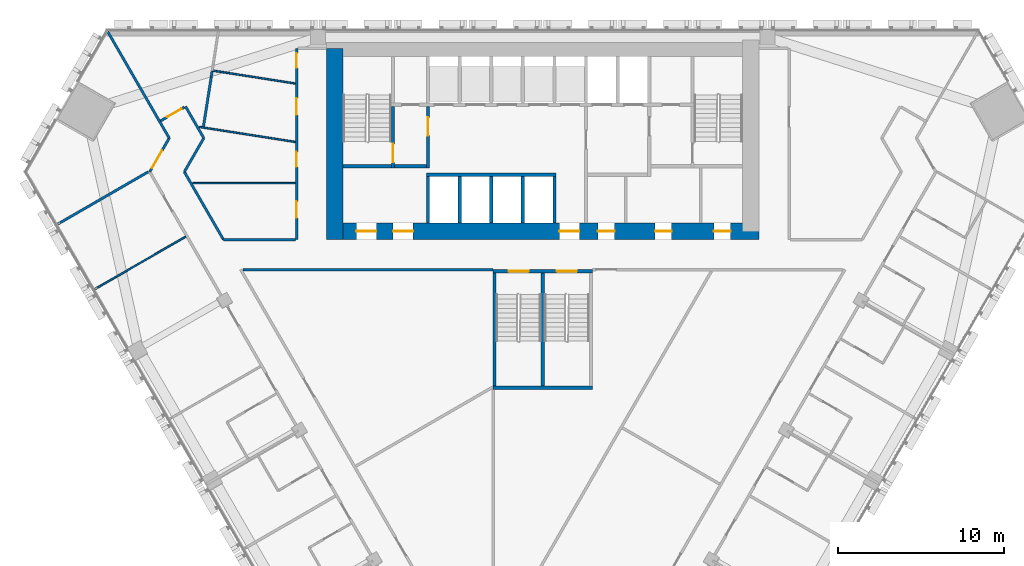
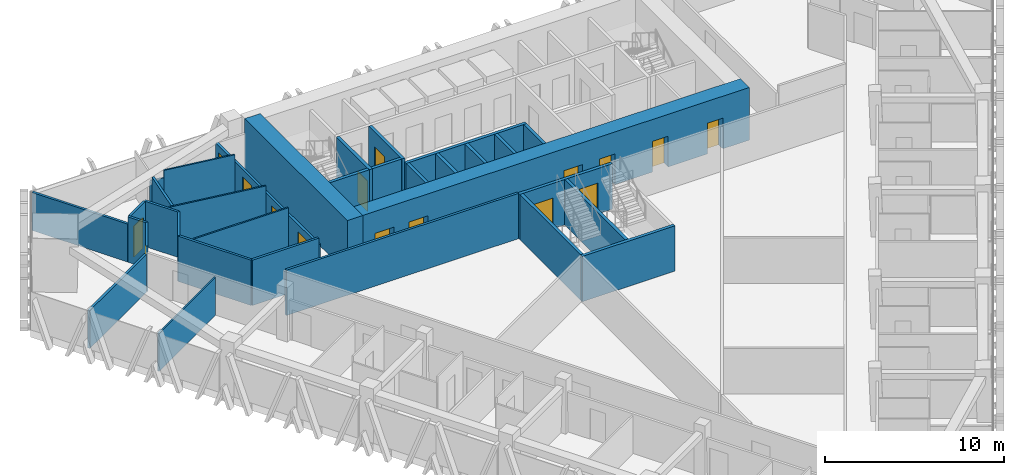
# One storey, part 12 of 18: 34 walls, 16 doors, 16 openings.
"""IFC4 building model written with IfcOpenShell, lengths in metres."""

from ifc_helpers import new_model, si_unit, direction, frame, frame_2d, origin, place, context, subcontext, project, spatial, rectangle, extrude, material, layer, layer_set, type_object, element, fill, save


model = new_model("IFC4")

# Units and contexts
model_context = context("Model", 3, precision=1e-05, world=origin(), true_north=direction((0.0, 1.0)))
body_context = subcontext(model_context, "Body", "Model", "MODEL_VIEW")
ifc_project = project(units=[si_unit("LENGTHUNIT", "METRE"), si_unit("AREAUNIT", "SQUARE_METRE"), si_unit("VOLUMEUNIT", "CUBIC_METRE"), si_unit("PLANEANGLEUNIT", "RADIAN"), si_unit("MASSUNIT", "GRAM", prefix="KILO")], contexts=[model_context])

# Site, building, storey
site_placement = place(None, origin())
site = spatial("IfcSite", under=ifc_project, at=site_placement, CompositionType="ELEMENT")
building_placement = place(site_placement, origin())
building = spatial("IfcBuilding", under=site, at=building_placement, Name="Altiplano Prism Tower", CompositionType="ELEMENT")
storey_placement = place(building_placement, frame((0.0, 0.0, 34.199951171875)))
storey = spatial("IfcBuildingStorey", under=building, at=storey_placement, Name="L07", CompositionType="ELEMENT", Elevation=34.199951171875)

# Wall, openings, doors
ifc_material_1 = material(Name="Concrete C70/85", Category="concrete")
ifc_layer_1 = layer(ifc_material_1, 1.0)
ifc_layer_set_1 = layer_set([ifc_layer_1], Name="Concrete C70/85")
wall_type_1 = type_object("IfcWallType", Name="Core wall 1000", PredefinedType="SHEAR", material=ifc_layer_set_1)
wall_1_placement = place(storey_placement, frame((72.5, 92.89990234375, 0.0), z_axis=(0.0, 0.0, 1.0), x_axis=(1.0, 0.0, 0.0)))
wall_1 = element("IfcWall", 1, at=wall_1_placement, inside=storey, type_object=wall_type_1, Name="Core wall S L07", PredefinedType="SHEAR", context=body_context, shape_type="SweptSolid", body=[
    extrude(rectangle(XDim=25.5, YDim=1.0, at=frame_2d((12.75, 0.0))), origin(), (0.0, 0.0, 1.0), 3.60009765625),
])
opening_1_placement = place(wall_1_placement, frame((1.300048828125, 0.0, 0.0)))
opening_1 = element("IfcOpeningElement", 2, at=opening_1_placement, cuts=wall_1, Name="Opening D2686", PredefinedType="OPENING", context=body_context, shape_type="SweptSolid", body=[
    extrude(rectangle(XDim=1.199951171875, YDim=2.10009765625, at=frame_2d((0.60009765625, 1.050048828125))), frame((0.0, 0.510498046875, 0.0), z_axis=(0.0, -1.0, 0.0), x_axis=(1.0, 0.0, 0.0)), (0.0, 0.0, 1.0), 1.02099609375),
])
opening_2_placement = place(wall_1_placement, frame((3.5, 0.0, 0.0)))
opening_2 = element("IfcOpeningElement", 3, at=opening_2_placement, cuts=wall_1, Name="Opening D2687", PredefinedType="OPENING", context=body_context, shape_type="SweptSolid", body=[
    extrude(rectangle(XDim=1.199951171875, YDim=2.10009765625, at=frame_2d((0.60009765625, 1.050048828125))), frame((0.0, 0.510498046875, 0.0), z_axis=(0.0, -1.0, 0.0), x_axis=(1.0, 0.0, 0.0)), (0.0, 0.0, 1.0), 1.02099609375),
])
opening_3_placement = place(wall_1_placement, frame((13.5, 0.0, 0.0)))
opening_3 = element("IfcOpeningElement", 4, at=opening_3_placement, cuts=wall_1, Name="Opening D2688", PredefinedType="OPENING", context=body_context, shape_type="SweptSolid", body=[
    extrude(rectangle(XDim=1.199951171875, YDim=2.10009765625, at=frame_2d((0.60009765625, 1.050048828125))), frame((0.0, 0.510498046875, 0.0), z_axis=(0.0, -1.0, 0.0), x_axis=(1.0, 0.0, 0.0)), (0.0, 0.0, 1.0), 1.02099609375),
])
opening_4_placement = place(wall_1_placement, frame((15.8125, 0.0, 0.0)))
opening_4 = element("IfcOpeningElement", 5, at=opening_4_placement, cuts=wall_1, Name="Opening D2691", PredefinedType="OPENING", context=body_context, shape_type="SweptSolid", body=[
    extrude(rectangle(XDim=1.0, YDim=2.10009765625, at=frame_2d((0.5, 1.050048828125))), frame((0.0, 0.510498046875, 0.0), z_axis=(0.0, -1.0, 0.0), x_axis=(1.0, 0.0, 0.0)), (0.0, 0.0, 1.0), 1.02099609375),
])
opening_5_placement = place(wall_1_placement, frame((19.25, 0.0, 0.0)))
opening_5 = element("IfcOpeningElement", 6, at=opening_5_placement, cuts=wall_1, Name="Opening D2692", PredefinedType="OPENING", context=body_context, shape_type="SweptSolid", body=[
    extrude(rectangle(XDim=1.0, YDim=2.10009765625, at=frame_2d((0.5, 1.050048828125))), frame((0.0, 0.510498046875, 0.0), z_axis=(0.0, -1.0, 0.0), x_axis=(1.0, 0.0, 0.0)), (0.0, 0.0, 1.0), 1.02099609375),
])
opening_6_placement = place(wall_1_placement, frame((22.78759765625, 0.0, 0.0)))
opening_6 = element("IfcOpeningElement", 7, at=opening_6_placement, cuts=wall_1, Name="Opening D2693", PredefinedType="OPENING", context=body_context, shape_type="SweptSolid", body=[
    extrude(rectangle(XDim=1.0, YDim=2.10009765625, at=frame_2d((0.5, 1.050048828125))), frame((0.0, 0.510498046875, 0.0), z_axis=(0.0, -1.0, 0.0), x_axis=(1.0, 0.0, 0.0)), (0.0, 0.0, 1.0), 1.02099609375),
])
ifc_material_2 = material(Name="Fire-rated steel door", Category="steel")
door_type_1 = type_object("IfcDoorType", Name="Core room door 1000 x 2100", OperationType="NOTDEFINED", PredefinedType="NOTDEFINED", material=ifc_material_2)
door_1_placement = place(opening_4_placement, origin())
door_1 = element("IfcDoor", 8, at=door_1_placement, inside=storey, type_object=door_type_1, Name="Core room door D2691", OperationType="SINGLE_SWING_RIGHT", OverallHeight=2.10009765625, OverallWidth=1.0, PredefinedType="NOTDEFINED", context=body_context, shape_type="SweptSolid", body=[
    extrude(rectangle(XDim=1.0, YDim=2.10009765625, at=frame_2d((0.5, 1.050048828125))), frame((0.0, 0.02490234375, 0.0), z_axis=(0.0, -1.0, 0.0), x_axis=(1.0, 0.0, 0.0)), (0.0, 0.0, 1.0), 0.050048828125),
])
fill(opening_4, door_1)
door_2_placement = place(opening_5_placement, origin())
door_2 = element("IfcDoor", 9, at=door_2_placement, inside=storey, type_object=door_type_1, Name="Core room door D2692", OperationType="SINGLE_SWING_LEFT", OverallHeight=2.10009765625, OverallWidth=1.0, PredefinedType="NOTDEFINED", context=body_context, shape_type="SweptSolid", body=[
    extrude(rectangle(XDim=1.0, YDim=2.10009765625, at=frame_2d((0.5, 1.050048828125))), frame((0.0, 0.02490234375, 0.0), z_axis=(0.0, -1.0, 0.0), x_axis=(1.0, 0.0, 0.0)), (0.0, 0.0, 1.0), 0.050048828125),
])
fill(opening_5, door_2)
door_3_placement = place(opening_6_placement, origin())
door_3 = element("IfcDoor", 10, at=door_3_placement, inside=storey, type_object=door_type_1, Name="Core room door D2693", OperationType="SINGLE_SWING_RIGHT", OverallHeight=2.10009765625, OverallWidth=1.0, PredefinedType="NOTDEFINED", context=body_context, shape_type="SweptSolid", body=[
    extrude(rectangle(XDim=1.0, YDim=2.10009765625, at=frame_2d((0.5, 1.050048828125))), frame((0.0, 0.02490234375, 0.0), z_axis=(0.0, -1.0, 0.0), x_axis=(1.0, 0.0, 0.0)), (0.0, 0.0, 1.0), 0.050048828125),
])
fill(opening_6, door_3)
door_type_2 = type_object("IfcDoorType", Name="Lobby fire door 1200 x 2100", OperationType="NOTDEFINED", PredefinedType="NOTDEFINED", material=ifc_material_2)
door_4_placement = place(opening_1_placement, origin())
door_4 = element("IfcDoor", 11, at=door_4_placement, inside=storey, type_object=door_type_2, Name="Lobby fire door D2686", OperationType="SINGLE_SWING_RIGHT", OverallHeight=2.10009765625, OverallWidth=1.199951171875, PredefinedType="NOTDEFINED", context=body_context, shape_type="SweptSolid", body=[
    extrude(rectangle(XDim=1.199951171875, YDim=2.10009765625, at=frame_2d((0.60009765625, 1.050048828125))), frame((0.0, 0.02490234375, 0.0), z_axis=(0.0, -1.0, 0.0), x_axis=(1.0, 0.0, 0.0)), (0.0, 0.0, 1.0), 0.050048828125),
])
fill(opening_1, door_4)
door_5_placement = place(opening_2_placement, origin())
door_5 = element("IfcDoor", 12, at=door_5_placement, inside=storey, type_object=door_type_2, Name="Lobby fire door D2687", OperationType="SINGLE_SWING_LEFT", OverallHeight=2.10009765625, OverallWidth=1.199951171875, PredefinedType="NOTDEFINED", context=body_context, shape_type="SweptSolid", body=[
    extrude(rectangle(XDim=1.199951171875, YDim=2.10009765625, at=frame_2d((0.60009765625, 1.050048828125))), frame((0.0, 0.02490234375, 0.0), z_axis=(0.0, -1.0, 0.0), x_axis=(1.0, 0.0, 0.0)), (0.0, 0.0, 1.0), 0.050048828125),
])
fill(opening_2, door_5)
door_6_placement = place(opening_3_placement, origin())
door_6 = element("IfcDoor", 13, at=door_6_placement, inside=storey, type_object=door_type_2, Name="Lobby fire door D2688", OperationType="SINGLE_SWING_RIGHT", OverallHeight=2.10009765625, OverallWidth=1.199951171875, PredefinedType="NOTDEFINED", context=body_context, shape_type="SweptSolid", body=[
    extrude(rectangle(XDim=1.199951171875, YDim=2.10009765625, at=frame_2d((0.60009765625, 1.050048828125))), frame((0.0, 0.02490234375, 0.0), z_axis=(0.0, -1.0, 0.0), x_axis=(1.0, 0.0, 0.0)), (0.0, 0.0, 1.0), 0.050048828125),
])
fill(opening_3, door_6)

# Walls
wall_2_placement = place(storey_placement, frame((72.5, 103.89990234375, 0.0), z_axis=(0.0, 0.0, 1.0), x_axis=(0.0, -1.0, 0.0)))
element("IfcWall", 14, at=wall_2_placement, inside=storey, type_object=wall_type_1, Name="Core wall W L07", PredefinedType="SHEAR", context=body_context, shape_type="SweptSolid", body=[
    extrude(rectangle(XDim=11.5, YDim=1.0, at=frame_2d((5.75, 0.0))), origin(), (0.0, 0.0, 1.0), 3.60009765625),
])
ifc_material_3 = material(Name="Plasterboard on steel stud", Category="steel")
ifc_layer_2 = layer(ifc_material_3, 0.10009765625)
ifc_layer_set_2 = layer_set([ifc_layer_2], Name="Plasterboard on steel stud")
wall_type_2 = type_object("IfcWallType", Name="Partition 100 wet", PredefinedType="PARTITIONING", material=ifc_layer_set_2)
wall_3_placement = place(storey_placement, frame((65.132080078125, 102.563720703125, 0.0), z_axis=(0.0, 0.0, 1.0), x_axis=(0.987985711143, -0.154545250905, 0.0)))
element("IfcWall", 15, at=wall_3_placement, inside=storey, type_object=wall_type_2, Name="Partition P03 L07 026", PredefinedType="PARTITIONING", context=body_context, shape_type="SweptSolid", body=[
    extrude(rectangle(XDim=0.796142578125, YDim=0.10009765625, at=frame_2d((0.39794921875, 0.0))), origin(), (0.0, 0.0, 1.0), 2.60009765625),
])
wall_4_placement = place(storey_placement, frame((65.918701171875, 102.440673828125, 0.0), z_axis=(0.0, 0.0, 1.0), x_axis=(0.987952268871, -0.154758891286, 0.0)))
element("IfcWall", 16, at=wall_4_placement, inside=storey, type_object=wall_type_2, Name="Partition P03 L07 027", PredefinedType="PARTITIONING", context=body_context, shape_type="SweptSolid", body=[
    extrude(rectangle(XDim=4.25, YDim=0.10009765625, at=frame_2d((2.125, 0.0))), origin(), (0.0, 0.0, 1.0), 3.10009765625),
])
wall_5_placement = place(storey_placement, frame((63.95947265625, 95.797607421875, 0.0), z_axis=(0.0, 0.0, 1.0), x_axis=(1.0, 0.0, 0.0)))
element("IfcWall", 17, at=wall_5_placement, inside=storey, type_object=wall_type_2, Name="Partition P03 L07 030", PredefinedType="PARTITIONING", context=body_context, shape_type="SweptSolid", body=[
    extrude(rectangle(XDim=6.16552734375, YDim=0.10009765625, at=frame_2d((3.082763671875, 0.0))), origin(), (0.0, 0.0, 1.0), 3.10009765625),
])
wall_6_placement = place(storey_placement, frame((70.1171875, 98.271240234375, 0.0), z_axis=(0.0, 0.0, 1.0), x_axis=(-0.987958471569, 0.154719289214, 0.0)))
element("IfcWall", 18, at=wall_6_placement, inside=storey, type_object=wall_type_2, Name="Partition P03 L07 031", PredefinedType="PARTITIONING", context=body_context, shape_type="SweptSolid", body=[
    extrude(rectangle(XDim=5.828857421875, YDim=0.10009765625, at=frame_2d((2.91455078125, 0.0))), origin(), (0.0, 0.0, 1.0), 3.10009765625),
])
wall_7_placement = place(storey_placement, frame((58.04248046875, 89.405517578125, 0.0), z_axis=(0.0, 0.0, 1.0), x_axis=(0.866025401434, 0.500000004071, 0.0)))
element("IfcWall", 19, at=wall_7_placement, inside=storey, type_object=wall_type_2, Name="Partition P03 L07 036", PredefinedType="PARTITIONING", context=body_context, shape_type="SweptSolid", body=[
    extrude(rectangle(XDim=6.34521484375, YDim=0.10009765625, at=frame_2d((3.172607421875, 0.0))), origin(), (0.0, 0.0, 1.0), 2.60009765625),
])
ifc_layer_3 = layer(ifc_material_3, 0.14990234375)
ifc_layer_set_3 = layer_set([ifc_layer_3], Name="Plasterboard on steel stud")
wall_type_3 = type_object("IfcWallType", Name="Partition 150 corridor", PredefinedType="PARTITIONING", material=ifc_layer_set_3)
wall_8_placement = place(storey_placement, frame((63.453857421875, 96.47314453125, 0.0), z_axis=(0.0, 0.0, 1.0), x_axis=(0.500065562951, 0.865987547688, 0.0)))
element("IfcWall", 20, at=wall_8_placement, inside=storey, type_object=wall_type_3, Name="Partition P06 L07 002", PredefinedType="PARTITIONING", context=body_context, shape_type="SweptSolid", body=[
    extrude(rectangle(XDim=2.340576171875, YDim=0.14990234375, at=frame_2d((1.17041015625, 0.0))), origin(), (0.0, 0.0, 1.0), 3.10009765625),
])

# Wall, openings, doors
wall_9_placement = place(storey_placement, frame((70.199951171875, 103.89990234375, 0.0), z_axis=(0.0, 0.0, 1.0), x_axis=(0.0, -1.0, 0.0)))
wall_9 = element("IfcWall", 21, at=wall_9_placement, inside=storey, type_object=wall_type_3, Name="Partition P06 L07 003", PredefinedType="PARTITIONING", context=body_context, shape_type="SweptSolid", body=[
    extrude(rectangle(XDim=11.5, YDim=0.14990234375, at=frame_2d((5.75, 0.0))), origin(), (0.0, 0.0, 1.0), 2.60009765625),
])
opening_7_placement = place(wall_9_placement, frame((0.283935546875, 0.0, 0.0)))
opening_7 = element("IfcOpeningElement", 22, at=opening_7_placement, cuts=wall_9, Name="Opening D0227", PredefinedType="OPENING", context=body_context, shape_type="SweptSolid", body=[
    extrude(rectangle(XDim=0.89990234375, YDim=2.10009765625, at=frame_2d((0.449951171875, 1.050048828125))), frame((0.0, 0.08544921875, 0.0), z_axis=(0.0, -1.0, 0.0), x_axis=(1.0, 0.0, 0.0)), (0.0, 0.0, 1.0), 0.1708984375),
])
opening_8_placement = place(wall_9_placement, frame((6.22802734375, 0.0, 0.0)))
opening_8 = element("IfcOpeningElement", 23, at=opening_8_placement, cuts=wall_9, Name="Opening D0228", PredefinedType="OPENING", context=body_context, shape_type="SweptSolid", body=[
    extrude(rectangle(XDim=0.89990234375, YDim=2.10009765625, at=frame_2d((0.449951171875, 1.050048828125))), frame((0.0, 0.08544921875, 0.0), z_axis=(0.0, -1.0, 0.0), x_axis=(1.0, 0.0, 0.0)), (0.0, 0.0, 1.0), 0.1708984375),
])
opening_9_placement = place(wall_9_placement, frame((9.197998046875, 0.0, 0.0)))
opening_9 = element("IfcOpeningElement", 24, at=opening_9_placement, cuts=wall_9, Name="Opening D0229", PredefinedType="OPENING", context=body_context, shape_type="SweptSolid", body=[
    extrude(rectangle(XDim=1.0, YDim=2.10009765625, at=frame_2d((0.5, 1.050048828125))), frame((0.0, 0.08544921875, 0.0), z_axis=(0.0, -1.0, 0.0), x_axis=(1.0, 0.0, 0.0)), (0.0, 0.0, 1.0), 0.1708984375),
])
opening_10_placement = place(wall_9_placement, frame((2.9970703125, 0.0, 0.0)))
opening_10 = element("IfcOpeningElement", 25, at=opening_10_placement, cuts=wall_9, Name="Opening D0230", PredefinedType="OPENING", context=body_context, shape_type="SweptSolid", body=[
    extrude(rectangle(XDim=1.0, YDim=2.10009765625, at=frame_2d((0.5, 1.050048828125))), frame((0.0, 0.08544921875, 0.0), z_axis=(0.0, -1.0, 0.0), x_axis=(1.0, 0.0, 0.0)), (0.0, 0.0, 1.0), 0.1708984375),
])
ifc_material_4 = material(Name="Timber", Category="wood")
door_type_3 = type_object("IfcDoorType", Name="Store door 1000 x 2100", OperationType="NOTDEFINED", PredefinedType="NOTDEFINED", material=ifc_material_4)
door_7_placement = place(opening_9_placement, origin())
door_7 = element("IfcDoor", 26, at=door_7_placement, inside=storey, type_object=door_type_3, Name="Door D0229", OperationType="SINGLE_SWING_RIGHT", OverallHeight=2.10009765625, OverallWidth=1.0, PredefinedType="NOTDEFINED", context=body_context, shape_type="SweptSolid", body=[
    extrude(rectangle(XDim=1.0, YDim=2.10009765625, at=frame_2d((0.5, 1.050048828125))), frame((0.0, 0.02490234375, 0.0), z_axis=(0.0, -1.0, 0.0), x_axis=(1.0, 0.0, 0.0)), (0.0, 0.0, 1.0), 0.050048828125),
])
fill(opening_9, door_7)
door_8_placement = place(opening_10_placement, origin())
door_8 = element("IfcDoor", 27, at=door_8_placement, inside=storey, type_object=door_type_3, Name="Door D0230", OperationType="SINGLE_SWING_LEFT", OverallHeight=2.10009765625, OverallWidth=1.0, PredefinedType="NOTDEFINED", context=body_context, shape_type="SweptSolid", body=[
    extrude(rectangle(XDim=1.0, YDim=2.10009765625, at=frame_2d((0.5, 1.050048828125))), frame((0.0, 0.02490234375, 0.0), z_axis=(0.0, -1.0, 0.0), x_axis=(1.0, 0.0, 0.0)), (0.0, 0.0, 1.0), 0.050048828125),
])
fill(opening_10, door_8)
door_type_4 = type_object("IfcDoorType", Name="Toilet door 900 x 2100", OperationType="NOTDEFINED", PredefinedType="NOTDEFINED", material=ifc_material_4)
door_9_placement = place(opening_7_placement, origin())
door_9 = element("IfcDoor", 28, at=door_9_placement, inside=storey, type_object=door_type_4, Name="Door D0227", OperationType="SINGLE_SWING_RIGHT", OverallHeight=2.10009765625, OverallWidth=0.89990234375, PredefinedType="NOTDEFINED", context=body_context, shape_type="SweptSolid", body=[
    extrude(rectangle(XDim=0.89990234375, YDim=2.10009765625, at=frame_2d((0.449951171875, 1.050048828125))), frame((0.0, 0.02490234375, 0.0), z_axis=(0.0, -1.0, 0.0), x_axis=(1.0, 0.0, 0.0)), (0.0, 0.0, 1.0), 0.050048828125),
])
fill(opening_7, door_9)
door_10_placement = place(opening_8_placement, origin())
door_10 = element("IfcDoor", 29, at=door_10_placement, inside=storey, type_object=door_type_4, Name="Door D0228", OperationType="SINGLE_SWING_RIGHT", OverallHeight=2.10009765625, OverallWidth=0.89990234375, PredefinedType="NOTDEFINED", context=body_context, shape_type="SweptSolid", body=[
    extrude(rectangle(XDim=0.89990234375, YDim=2.10009765625, at=frame_2d((0.449951171875, 1.050048828125))), frame((0.0, 0.02490234375, 0.0), z_axis=(0.0, -1.0, 0.0), x_axis=(1.0, 0.0, 0.0)), (0.0, 0.0, 1.0), 0.050048828125),
])
fill(opening_8, door_10)

# Walls
wall_10_placement = place(storey_placement, frame((70.125, 92.39990234375, 0.0), z_axis=(0.0, 0.0, 1.0), x_axis=(-1.0, 0.0, 0.0)))
element("IfcWall", 30, at=wall_10_placement, inside=storey, type_object=wall_type_3, Name="Partition P06 L07 004", PredefinedType="PARTITIONING", context=body_context, shape_type="SweptSolid", body=[
    extrude(rectangle(XDim=4.319580078125, YDim=0.14990234375, at=frame_2d((2.15966796875, 0.0))), origin(), (0.0, 0.0, 1.0), 3.10009765625),
])
wall_11_placement = place(storey_placement, frame((65.805419921875, 92.39990234375, 0.0), z_axis=(0.0, 0.0, 1.0), x_axis=(-0.499980071345, 0.866036909293, 0.0)))
element("IfcWall", 31, at=wall_11_placement, inside=storey, type_object=wall_type_3, Name="Partition P06 L07 005", PredefinedType="PARTITIONING", context=body_context, shape_type="SweptSolid", body=[
    extrude(rectangle(XDim=4.703369140625, YDim=0.14990234375, at=frame_2d((2.3515625, 0.0))), origin(), (0.0, 0.0, 1.0), 3.10009765625),
])
wall_12_placement = place(storey_placement, frame((64.624267578125, 98.5, 0.0), z_axis=(0.0, 0.0, 1.0), x_axis=(-0.500005024956, 0.866022502605, 0.0)))
element("IfcWall", 32, at=wall_12_placement, inside=storey, type_object=wall_type_3, Name="Partition P06 L07 006", PredefinedType="PARTITIONING", context=body_context, shape_type="SweptSolid", body=[
    extrude(rectangle(XDim=2.19384765625, YDim=0.14990234375, at=frame_2d((1.096923828125, 0.0))), origin(), (0.0, 0.0, 1.0), 3.10009765625),
])

# Wall, opening, door
wall_13_placement = place(storey_placement, frame((63.462158203125, 100.362548828125, 0.0), z_axis=(0.0, 0.0, 1.0), x_axis=(-0.866298776321, -0.499526205664, 0.0)))
wall_13 = element("IfcWall", 33, at=wall_13_placement, inside=storey, type_object=wall_type_3, Name="Partition P06 L07 007", PredefinedType="PARTITIONING", context=body_context, shape_type="SweptSolid", body=[
    extrude(rectangle(XDim=1.6513671875, YDim=0.14990234375, at=frame_2d((0.82568359375, 0.0))), origin(), (0.0, 0.0, 1.0), 3.10009765625),
])
opening_11_placement = place(wall_13_placement, frame((0.199951171875, 0.0, 0.0)))
opening_11 = element("IfcOpeningElement", 34, at=opening_11_placement, cuts=wall_13, Name="Opening D0231", PredefinedType="OPENING", context=body_context, shape_type="SweptSolid", body=[
    extrude(rectangle(XDim=1.0, YDim=2.10009765625, at=frame_2d((0.5, 1.050048828125))), frame((0.0, 0.08544921875, 0.0), z_axis=(0.0, -1.0, 0.0), x_axis=(1.0, 0.0, 0.0)), (0.0, 0.0, 1.0), 0.1708984375),
])
door_11_placement = place(opening_11_placement, origin())
door_11 = element("IfcDoor", 35, at=door_11_placement, inside=storey, type_object=door_type_3, Name="Door D0231", OperationType="SINGLE_SWING_LEFT", OverallHeight=2.10009765625, OverallWidth=1.0, PredefinedType="NOTDEFINED", context=body_context, shape_type="SweptSolid", body=[
    extrude(rectangle(XDim=1.0, YDim=2.10009765625, at=frame_2d((0.5, 1.050048828125))), frame((0.0, 0.02490234375, 0.0), z_axis=(0.0, -1.0, 0.0), x_axis=(1.0, 0.0, 0.0)), (0.0, 0.0, 1.0), 0.050048828125),
])
fill(opening_11, door_11)

# Wall
wall_14_placement = place(storey_placement, frame((61.95849609375, 99.517333984375, 0.0), z_axis=(0.0, 0.0, 1.0), x_axis=(0.499872391225, -0.86609906621, 0.0)))
element("IfcWall", 36, at=wall_14_placement, inside=storey, type_object=wall_type_3, Name="Partition P06 L07 008", PredefinedType="PARTITIONING", context=body_context, shape_type="SweptSolid", body=[
    extrude(rectangle(XDim=1.174560546875, YDim=0.14990234375, at=frame_2d((0.58740234375, 0.0))), origin(), (0.0, 0.0, 1.0), 3.10009765625),
])

# Wall, opening, door
wall_15_placement = place(storey_placement, frame((62.545654296875, 98.5, 0.0), z_axis=(0.0, 0.0, 1.0), x_axis=(-0.499987330634, -0.866032718323, 0.0)))
wall_15 = element("IfcWall", 37, at=wall_15_placement, inside=storey, type_object=wall_type_3, Name="Partition P06 L07 009", PredefinedType="PARTITIONING", context=body_context, shape_type="SweptSolid", body=[
    extrude(rectangle(XDim=2.34033203125, YDim=0.14990234375, at=frame_2d((1.170166015625, 0.0))), origin(), (0.0, 0.0, 1.0), 3.10009765625),
])
opening_12_placement = place(wall_15_placement, frame((0.864990234375, 0.0, 0.0)))
opening_12 = element("IfcOpeningElement", 38, at=opening_12_placement, cuts=wall_15, Name="Opening D0232", PredefinedType="OPENING", context=body_context, shape_type="SweptSolid", body=[
    extrude(rectangle(XDim=1.199951171875, YDim=2.10009765625, at=frame_2d((0.60009765625, 1.050048828125))), frame((0.0, 0.08544921875, 0.0), z_axis=(0.0, -1.0, 0.0), x_axis=(1.0, 0.0, 0.0)), (0.0, 0.0, 1.0), 0.1708984375),
])
door_type_5 = type_object("IfcDoorType", Name="Shared room door 1200 x 2100", OperationType="NOTDEFINED", PredefinedType="NOTDEFINED", material=ifc_material_4)
door_12_placement = place(opening_12_placement, origin())
door_12 = element("IfcDoor", 39, at=door_12_placement, inside=storey, type_object=door_type_5, Name="Door D0232", OperationType="SINGLE_SWING_RIGHT", OverallHeight=2.10009765625, OverallWidth=1.199951171875, PredefinedType="NOTDEFINED", context=body_context, shape_type="SweptSolid", body=[
    extrude(rectangle(XDim=1.199951171875, YDim=2.10009765625, at=frame_2d((0.60009765625, 1.050048828125))), frame((0.0, 0.02490234375, 0.0), z_axis=(0.0, -1.0, 0.0), x_axis=(1.0, 0.0, 0.0)), (0.0, 0.0, 1.0), 0.050048828125),
])
fill(opening_12, door_12)

# Walls
wall_16_placement = place(storey_placement, frame((66.974609375, 90.60009765625, 0.0), z_axis=(0.0, 0.0, 1.0), x_axis=(0.999999997888, -6.499415e-05, 0.0)))
element("IfcWall", 40, at=wall_16_placement, inside=storey, type_object=wall_type_3, Name="Partition P06 L07 015", PredefinedType="PARTITIONING", context=body_context, shape_type="SweptSolid", body=[
    extrude(rectangle(XDim=15.025390625, YDim=0.14990234375, at=frame_2d((7.5126953125, 0.0))), origin(), (0.0, 0.0, 1.0), 3.10009765625),
])
ifc_layer_4 = layer(ifc_material_3, 0.14990234375)
ifc_layer_set_4 = layer_set([ifc_layer_4], Name="Plasterboard on steel stud")
wall_type_4 = type_object("IfcWallType", Name="Partition 150 party", PredefinedType="PARTITIONING", material=ifc_layer_set_4)
wall_17_placement = place(storey_placement, frame((65.124267578125, 102.514404296875, 0.0), z_axis=(0.0, 0.0, 1.0), x_axis=(-0.154483983263, -0.987995292962, 0.0)))
element("IfcWall", 41, at=wall_17_placement, inside=storey, type_object=wall_type_4, Name="Partition P01 L07 032", PredefinedType="PARTITIONING", context=body_context, shape_type="SweptSolid", body=[
    extrude(rectangle(XDim=0.34765625, YDim=0.14990234375, at=frame_2d((0.173828125, 0.0))), origin(), (0.0, 0.0, 1.0), 2.60009765625),
])
wall_18_placement = place(storey_placement, frame((65.070556640625, 102.1708984375, 0.0), z_axis=(0.0, 0.0, 1.0), x_axis=(-0.154800782821, -0.987945705815, 0.0)))
element("IfcWall", 42, at=wall_18_placement, inside=storey, type_object=wall_type_4, Name="Partition P01 L07 033", PredefinedType="PARTITIONING", context=body_context, shape_type="SweptSolid", body=[
    extrude(rectangle(XDim=3.021728515625, YDim=0.14990234375, at=frame_2d((1.5107421875, 0.0))), origin(), (0.0, 0.0, 1.0), 3.10009765625),
])
wall_19_placement = place(storey_placement, frame((58.8505859375, 104.89990234375, 0.0), z_axis=(0.0, 0.0, 1.0), x_axis=(0.500034869029, -0.866005271205, 0.0)))
element("IfcWall", 43, at=wall_19_placement, inside=storey, type_object=wall_type_4, Name="Partition P01 L07 034", PredefinedType="PARTITIONING", context=body_context, shape_type="SweptSolid", body=[
    extrude(rectangle(XDim=6.20068359375, YDim=0.14990234375, at=frame_2d((3.100341796875, 0.0))), origin(), (0.0, 0.0, 1.0), 2.60009765625),
])
wall_20_placement = place(storey_placement, frame((55.79248046875, 93.302490234375, 0.0), z_axis=(0.0, 0.0, 1.0), x_axis=(0.866014393704, 0.500019069534, 0.0)))
element("IfcWall", 44, at=wall_20_placement, inside=storey, type_object=wall_type_4, Name="Partition P01 L07 035", PredefinedType="PARTITIONING", context=body_context, shape_type="SweptSolid", body=[
    extrude(rectangle(XDim=6.341064453125, YDim=0.14990234375, at=frame_2d((3.17041015625, 0.0))), origin(), (0.0, 0.0, 1.0), 2.60009765625),
])
ifc_material_5 = material(Name="Concrete C60/75", Category="concrete")
ifc_layer_5 = layer(ifc_material_5, 0.199951171875)
ifc_layer_set_5 = layer_set([ifc_layer_5], Name="Concrete C60/75")
wall_type_5 = type_object("IfcWallType", Name="Shaft wall 200", PredefinedType="SOLIDWALL", material=ifc_layer_set_5)
for number, where, z_axis, x_axis, name in (
    (45, (78.10009765625, 93.39990234375, 0.0), (0.0, 0.0, 1.0), (0.0, 1.0, 0.0), "Shaft wall L07"),
    (46, (80.0, 93.39990234375, 0.0), (0.0, 0.0, 1.0), (0.0, 1.0, 0.0), "Shaft wall L07"),
    (47, (81.89990234375, 93.39990234375, 0.0), (0.0, 0.0, 1.0), (0.0, 1.0, 0.0), "Shaft wall L07"),
    (48, (83.800048828125, 93.39990234375, 0.0), (0.0, 0.0, 1.0), (0.0, 1.0, 0.0), "Shaft wall L07"),
    (49, (85.699951171875, 93.39990234375, 0.0), (0.0, 0.0, 1.0), (0.0, 1.0, 0.0), "Shaft wall L07"),
):
    element("IfcWall", number, at=place(storey_placement, frame(where, z_axis=z_axis, x_axis=x_axis)), inside=storey, type_object=wall_type_5, Name=name, PredefinedType="SOLIDWALL", context=body_context, shape_type="SweptSolid", body=[
        extrude(rectangle(XDim=2.800048828125, YDim=0.199951171875, at=frame_2d((1.39990234375, 0.0))), origin(), (0.0, 0.0, 1.0), 3.10009765625),
    ])
wall_21_placement = place(storey_placement, frame((78.0, 96.300048828125, 0.0), z_axis=(0.0, 0.0, 1.0), x_axis=(1.0, 0.0, 0.0)))
element("IfcWall", 50, at=wall_21_placement, inside=storey, type_object=wall_type_5, Name="Shaft wall L07", PredefinedType="SOLIDWALL", context=body_context, shape_type="SweptSolid", body=[
    extrude(rectangle(XDim=7.800048828125, YDim=0.199951171875, at=frame_2d((3.89990234375, 0.0))), origin(), (0.0, 0.0, 1.0), 3.10009765625),
])
ifc_layer_6 = layer(ifc_material_5, 0.199951171875)
ifc_layer_set_6 = layer_set([ifc_layer_6], Name="Concrete C60/75")
wall_type_6 = type_object("IfcWallType", Name="Stair wall 200", PredefinedType="SOLIDWALL", material=ifc_layer_set_6)
wall_22_placement = place(storey_placement, frame((73.0, 96.800048828125, 0.0), z_axis=(0.0, 0.0, 1.0), x_axis=(1.0, 0.0, 0.0)))
element("IfcWall", 51, at=wall_22_placement, inside=storey, type_object=wall_type_6, Name="Stair wall L07", PredefinedType="SOLIDWALL", context=body_context, shape_type="SweptSolid", body=[
    extrude(rectangle(XDim=2.89990234375, YDim=0.199951171875, at=frame_2d((1.449951171875, 0.0))), origin(), (0.0, 0.0, 1.0), 3.10009765625),
])

# Wall, opening, door
wall_23_placement = place(storey_placement, frame((76.0, 96.699951171875, 0.0), z_axis=(0.0, 0.0, 1.0), x_axis=(0.0, 1.0, 0.0)))
wall_23 = element("IfcWall", 52, at=wall_23_placement, inside=storey, type_object=wall_type_6, Name="Stair wall L07", PredefinedType="SOLIDWALL", context=body_context, shape_type="SweptSolid", body=[
    extrude(rectangle(XDim=3.699951171875, YDim=0.199951171875, at=frame_2d((1.85009765625, 0.0))), origin(), (0.0, 0.0, 1.0), 3.10009765625),
])
opening_13_placement = place(wall_23_placement, frame((0.35009765625, 0.0, 0.0)))
opening_13 = element("IfcOpeningElement", 53, at=opening_13_placement, cuts=wall_23, Name="Opening D2681", PredefinedType="OPENING", context=body_context, shape_type="SweptSolid", body=[
    extrude(rectangle(XDim=1.10009765625, YDim=2.10009765625, at=frame_2d((0.550048828125, 1.050048828125))), frame((0.0, 0.1103515625, 0.0), z_axis=(0.0, -1.0, 0.0), x_axis=(1.0, 0.0, 0.0)), (0.0, 0.0, 1.0), 0.220947265625),
])
door_type_6 = type_object("IfcDoorType", Name="Stair fire door 1100 x 2100", OperationType="NOTDEFINED", PredefinedType="NOTDEFINED", material=ifc_material_2)
door_13_placement = place(opening_13_placement, origin())
door_13 = element("IfcDoor", 54, at=door_13_placement, inside=storey, type_object=door_type_6, Name="Stair fire door D2681", OperationType="SINGLE_SWING_RIGHT", OverallHeight=2.10009765625, OverallWidth=1.10009765625, PredefinedType="NOTDEFINED", context=body_context, shape_type="SweptSolid", body=[
    extrude(rectangle(XDim=1.10009765625, YDim=2.10009765625, at=frame_2d((0.550048828125, 1.050048828125))), frame((0.0, 0.02490234375, 0.0), z_axis=(0.0, -1.0, 0.0), x_axis=(1.0, 0.0, 0.0)), (0.0, 0.0, 1.0), 0.050048828125),
])
fill(opening_13, door_13)

# Wall, openings, doors
wall_24_placement = place(storey_placement, frame((82.0, 90.5, 0.0), z_axis=(0.0, 0.0, 1.0), x_axis=(1.0, 0.0, 0.0)))
wall_24 = element("IfcWall", 55, at=wall_24_placement, inside=storey, type_object=wall_type_6, Name="Stair 3 wall north L07", PredefinedType="SOLIDWALL", context=body_context, shape_type="SweptSolid", body=[
    extrude(rectangle(XDim=6.0, YDim=0.199951171875, at=frame_2d((3.0, 0.0))), origin(), (0.0, 0.0, 1.0), 3.10009765625),
])
opening_14_placement = place(wall_24_placement, frame((0.949951171875, 0.0, 0.0)))
opening_14 = element("IfcOpeningElement", 56, at=opening_14_placement, cuts=wall_24, Name="Opening D3936", PredefinedType="OPENING", context=body_context, shape_type="SweptSolid", body=[
    extrude(rectangle(XDim=1.199951171875, YDim=2.10009765625, at=frame_2d((0.60009765625, 1.050048828125))), frame((0.0, 0.1103515625, 0.0), z_axis=(0.0, -1.0, 0.0), x_axis=(1.0, 0.0, 0.0)), (0.0, 0.0, 1.0), 0.220947265625),
])
opening_15_placement = place(wall_24_placement, frame((3.85009765625, 0.0, 0.0)))
opening_15 = element("IfcOpeningElement", 57, at=opening_15_placement, cuts=wall_24, Name="Opening D3937", PredefinedType="OPENING", context=body_context, shape_type="SweptSolid", body=[
    extrude(rectangle(XDim=1.199951171875, YDim=2.10009765625, at=frame_2d((0.60009765625, 1.050048828125))), frame((0.0, 0.1103515625, 0.0), z_axis=(0.0, -1.0, 0.0), x_axis=(1.0, 0.0, 0.0)), (0.0, 0.0, 1.0), 0.220947265625),
])
door_type_7 = type_object("IfcDoorType", Name="Stair fire door 1200 x 2100", OperationType="NOTDEFINED", PredefinedType="NOTDEFINED", material=ifc_material_2)
door_14_placement = place(opening_14_placement, origin())
door_14 = element("IfcDoor", 58, at=door_14_placement, inside=storey, type_object=door_type_7, Name="Stair fire door D3936", OperationType="SINGLE_SWING_LEFT", OverallHeight=2.10009765625, OverallWidth=1.199951171875, PredefinedType="NOTDEFINED", context=body_context, shape_type="SweptSolid", body=[
    extrude(rectangle(XDim=1.199951171875, YDim=2.10009765625, at=frame_2d((0.60009765625, 1.050048828125))), frame((0.0, 0.02490234375, 0.0), z_axis=(0.0, -1.0, 0.0), x_axis=(1.0, 0.0, 0.0)), (0.0, 0.0, 1.0), 0.050048828125),
])
fill(opening_14, door_14)
door_15_placement = place(opening_15_placement, origin())
door_15 = element("IfcDoor", 59, at=door_15_placement, inside=storey, type_object=door_type_7, Name="Stair fire door D3937", OperationType="SINGLE_SWING_LEFT", OverallHeight=2.10009765625, OverallWidth=1.199951171875, PredefinedType="NOTDEFINED", context=body_context, shape_type="SweptSolid", body=[
    extrude(rectangle(XDim=1.199951171875, YDim=2.10009765625, at=frame_2d((0.60009765625, 1.050048828125))), frame((0.0, 0.02490234375, 0.0), z_axis=(0.0, -1.0, 0.0), x_axis=(1.0, 0.0, 0.0)), (0.0, 0.0, 1.0), 0.050048828125),
])
fill(opening_15, door_15)

# Walls
wall_25_placement = place(storey_placement, frame((82.0, 83.5, 0.0), z_axis=(0.0, 0.0, 1.0), x_axis=(1.0, 0.0, 0.0)))
element("IfcWall", 60, at=wall_25_placement, inside=storey, type_object=wall_type_6, Name="Stair 3 wall south L07", PredefinedType="SOLIDWALL", context=body_context, shape_type="SweptSolid", body=[
    extrude(rectangle(XDim=6.0, YDim=0.199951171875, at=frame_2d((3.0, 0.0))), origin(), (0.0, 0.0, 1.0), 3.10009765625),
])
for number, where, z_axis, x_axis, name in (
    (61, (82.10009765625, 83.60009765625, 0.0), (0.0, 0.0, 1.0), (0.0, 1.0, 0.0), "Stair 3 wall west L07"),
    (62, (85.0, 83.60009765625, 0.0), (0.0, 0.0, 1.0), (0.0, 1.0, 0.0), "Stair 3 wall divider L07"),
):
    element("IfcWall", number, at=place(storey_placement, frame(where, z_axis=z_axis, x_axis=x_axis)), inside=storey, type_object=wall_type_6, Name=name, PredefinedType="SOLIDWALL", context=body_context, shape_type="SweptSolid", body=[
        extrude(rectangle(XDim=6.7998046875, YDim=0.199951171875, at=frame_2d((3.39990234375, 0.0))), origin(), (0.0, 0.0, 1.0), 3.10009765625),
    ])
ifc_layer_7 = layer(ifc_material_5, 0.199951171875)
ifc_layer_set_7 = layer_set([ifc_layer_7], Name="Concrete C60/75")
wall_type_7 = type_object("IfcWallType", Name="Vestibule wall 200", PredefinedType="PARTITIONING", material=ifc_layer_set_7)
wall_26_placement = place(storey_placement, frame((76.10009765625, 96.800048828125, 0.0), z_axis=(0.0, 0.0, 1.0), x_axis=(1.0, 0.0, 0.0)))
element("IfcWall", 63, at=wall_26_placement, inside=storey, type_object=wall_type_7, Name="Vestibule wall L07", PredefinedType="PARTITIONING", context=body_context, shape_type="SweptSolid", body=[
    extrude(rectangle(XDim=1.89990234375, YDim=0.199951171875, at=frame_2d((0.949951171875, 0.0))), origin(), (0.0, 0.0, 1.0), 3.10009765625),
])

# Wall, opening, door
wall_27_placement = place(storey_placement, frame((78.10009765625, 96.699951171875, 0.0), z_axis=(0.0, 0.0, 1.0), x_axis=(0.0, 1.0, 0.0)))
wall_27 = element("IfcWall", 64, at=wall_27_placement, inside=storey, type_object=wall_type_7, Name="Vestibule wall L07", PredefinedType="PARTITIONING", context=body_context, shape_type="SweptSolid", body=[
    extrude(rectangle(XDim=3.699951171875, YDim=0.199951171875, at=frame_2d((1.85009765625, 0.0))), origin(), (0.0, 0.0, 1.0), 3.10009765625),
])
opening_16_placement = place(wall_27_placement, frame((1.949951171875, 0.0, 0.0)))
opening_16 = element("IfcOpeningElement", 65, at=opening_16_placement, cuts=wall_27, Name="Opening D2683", PredefinedType="OPENING", context=body_context, shape_type="SweptSolid", body=[
    extrude(rectangle(XDim=1.10009765625, YDim=2.10009765625, at=frame_2d((0.550048828125, 1.050048828125))), frame((0.0, 0.1103515625, 0.0), z_axis=(0.0, -1.0, 0.0), x_axis=(1.0, 0.0, 0.0)), (0.0, 0.0, 1.0), 0.220947265625),
])
door_type_8 = type_object("IfcDoorType", Name="Vestibule fire door 1100 x 2100", OperationType="NOTDEFINED", PredefinedType="NOTDEFINED", material=ifc_material_2)
door_16_placement = place(opening_16_placement, origin())
door_16 = element("IfcDoor", 66, at=door_16_placement, inside=storey, type_object=door_type_8, Name="Vestibule fire door D2683", OperationType="SINGLE_SWING_LEFT", OverallHeight=2.10009765625, OverallWidth=1.10009765625, PredefinedType="NOTDEFINED", context=body_context, shape_type="SweptSolid", body=[
    extrude(rectangle(XDim=1.10009765625, YDim=2.10009765625, at=frame_2d((0.550048828125, 1.050048828125))), frame((0.0, 0.02490234375, 0.0), z_axis=(0.0, -1.0, 0.0), x_axis=(1.0, 0.0, 0.0)), (0.0, 0.0, 1.0), 0.050048828125),
])
fill(opening_16, door_16)

save(model, "model.ifc")
